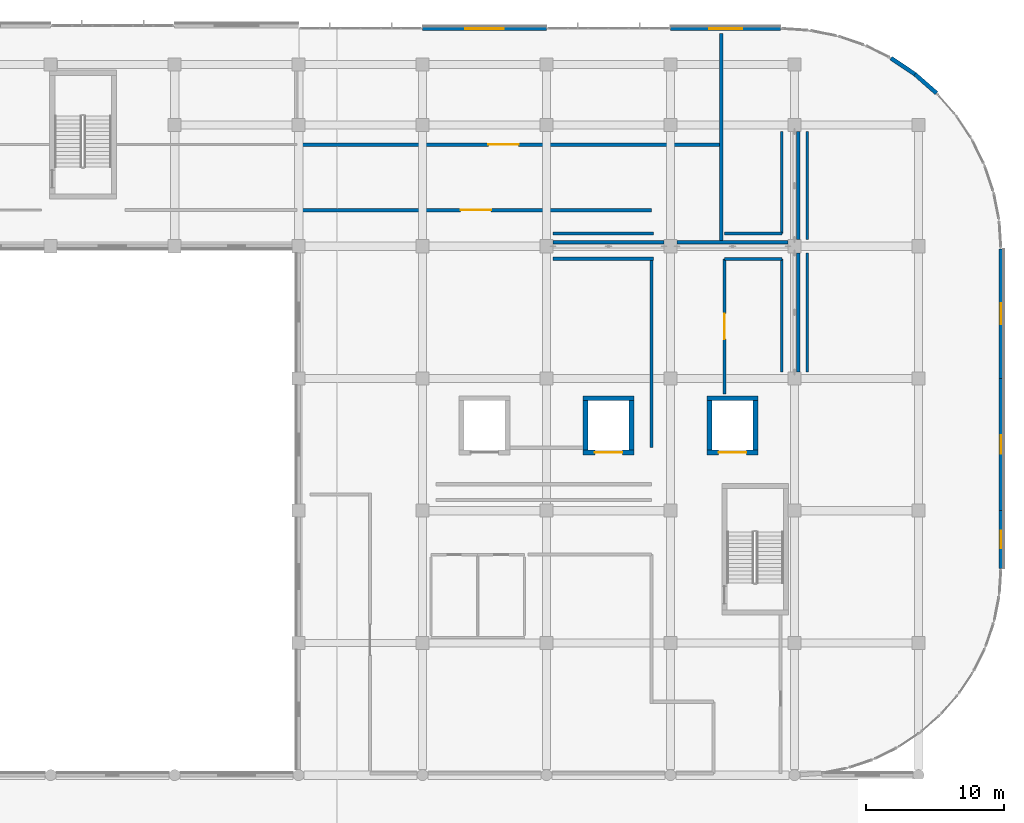
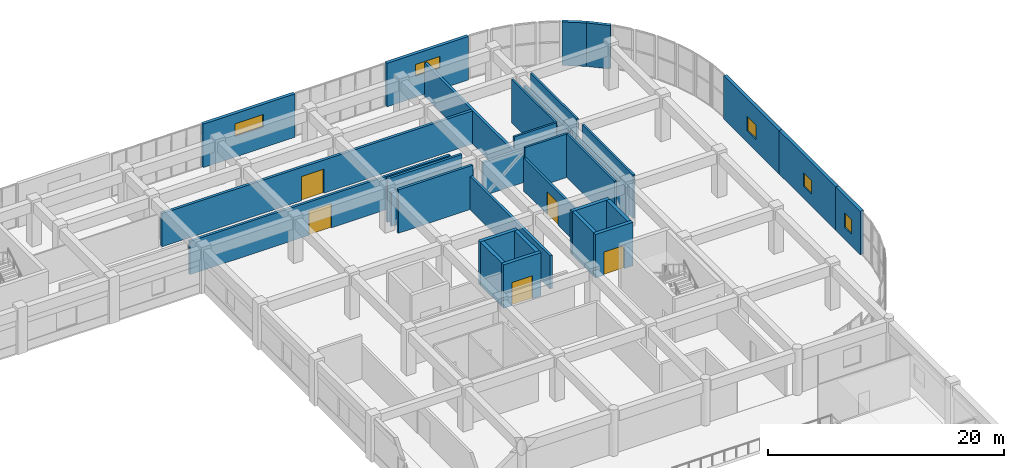
# One storey, part 61 of 86: 32 walls, 5 doors, 5 windows, 10 openings.
"""IFC4 building model written with IfcOpenShell, lengths in metres."""

from ifc_helpers import new_model, si_unit, direction, frame, frame_2d, origin, place, context, subcontext, project, spatial, rectangle, extrude, material, layer, layer_set, type_object, element, fill, save


model = new_model("IFC4")

# Units and contexts
model_context = context("Model", 3, precision=1e-05, world=origin(), true_north=direction((0.0, 1.0)))
body_context = subcontext(model_context, "Body", "Model", "MODEL_VIEW")
ifc_project = project(units=[si_unit("LENGTHUNIT", "METRE"), si_unit("AREAUNIT", "SQUARE_METRE"), si_unit("VOLUMEUNIT", "CUBIC_METRE"), si_unit("PLANEANGLEUNIT", "RADIAN"), si_unit("MASSUNIT", "GRAM", prefix="KILO")], contexts=[model_context])

# Site, building, storey
site_placement = place(None, origin())
site = spatial("IfcSite", under=ifc_project, at=site_placement, CompositionType="ELEMENT")
building_placement = place(site_placement, origin())
building = spatial("IfcBuilding", under=site, at=building_placement, Name="Cendralis Terraced Arcade", CompositionType="ELEMENT")
storey_placement = place(building_placement, frame((0.0, 0.0, 5.39990234375)))
storey = spatial("IfcBuildingStorey", under=building, at=storey_placement, Name="L01", CompositionType="ELEMENT", Elevation=5.39990234375)

# Walls
ifc_material_1 = material(Name="Gypsum plasterboard acoustic partition", Category="concrete")
ifc_layer_1 = layer(ifc_material_1, 0.195068359375, Name="WL-ACOU-195")
ifc_layer_set_1 = layer_set([ifc_layer_1], Name="Gypsum plasterboard acoustic partition")
wall_type_1 = type_object("IfcWallType", Name="WL-ACOU-195", PredefinedType="PARTITIONING", material=ifc_layer_set_1)
wall_1_placement = place(storey_placement, frame((158.1201171875, 89.27490234375, 0.0), z_axis=(0.0, 0.0, 1.0), x_axis=(0.0, 1.0, 0.0)))
element("IfcWall", 1, at=wall_1_placement, inside=storey, type_object=wall_type_1, Name="Interior Partition Wall IW-L01-0430", PredefinedType="PARTITIONING", context=body_context, shape_type="SweptSolid", body=[
    extrude(rectangle(XDim=8.650146484375, YDim=0.195068359375, at=frame_2d((4.3251953125, 0.0))), origin(), (0.0, 0.0, 1.0), 4.505126953125),
])
ifc_layer_2 = layer(ifc_material_1, 0.199951171875, Name="WL-ACOU-200")
ifc_layer_set_2 = layer_set([ifc_layer_2], Name="Gypsum plasterboard acoustic partition")
wall_type_2 = type_object("IfcWallType", Name="WL-ACOU-200", PredefinedType="PARTITIONING", material=ifc_layer_set_2)
wall_2_placement = place(storey_placement, frame((156.280029296875, 99.320068359375, 0.0), z_axis=(0.0, 0.0, 1.0), x_axis=(-1.0, 0.0, 0.0)))
element("IfcWall", 2, at=wall_2_placement, inside=storey, type_object=wall_type_2, Name="Interior Partition Wall IW-L01-0429", PredefinedType="PARTITIONING", context=body_context, shape_type="SweptSolid", body=[
    extrude(rectangle(XDim=4.159912109375, YDim=0.199951171875, at=frame_2d((2.080078125, 0.0))), origin(), (0.0, 0.0, 1.0), 4.505126953125),
])
ifc_layer_3 = layer(ifc_material_1, 0.205078125, Name="WL-ACOU-205")
ifc_layer_set_3 = layer_set([ifc_layer_3], Name="Gypsum plasterboard acoustic partition")
wall_type_3 = type_object("IfcWallType", Name="WL-ACOU-205", PredefinedType="PARTITIONING", material=ifc_layer_set_3)
wall_3_placement = place(storey_placement, frame((152.1201171875, 97.47998046875, 0.0), z_axis=(0.0, 0.0, 1.0), x_axis=(1.0, 0.0, 0.0)))
element("IfcWall", 3, at=wall_3_placement, inside=storey, type_object=wall_type_3, Name="Interior Partition Wall IW-L01-0428", PredefinedType="PARTITIONING", context=body_context, shape_type="SweptSolid", body=[
    extrude(rectangle(XDim=4.159912109375, YDim=0.205078125, at=frame_2d((2.080078125, 0.0))), origin(), (0.0, 0.0, 1.0), 4.505126953125),
])

# Wall, opening, door
ifc_layer_4 = layer(ifc_material_1, 0.2099609375, Name="WL-ACOU-210")
ifc_layer_set_4 = layer_set([ifc_layer_4], Name="Gypsum plasterboard acoustic partition")
wall_type_4 = type_object("IfcWallType", Name="WL-ACOU-210", PredefinedType="PARTITIONING", material=ifc_layer_set_4)
wall_4_placement = place(storey_placement, frame((152.1201171875, 87.679931640625, 0.0), z_axis=(0.0, 0.0, 1.0), x_axis=(0.0, 1.0, 0.0)))
wall_4 = element("IfcWall", 4, at=wall_4_placement, inside=storey, type_object=wall_type_4, Name="Interior Partition Wall IW-L01-0427", PredefinedType="PARTITIONING", context=body_context, shape_type="SweptSolid", body=[
    extrude(rectangle(XDim=9.800048828125, YDim=0.2099609375, at=frame_2d((4.89990234375, 0.0))), origin(), (0.0, 0.0, 1.0), 3.445068359375),
])
opening_1_placement = place(wall_4_placement, frame((3.97509765625, 0.0, 0.0)))
opening_1 = element("IfcOpeningElement", 5, at=opening_1_placement, cuts=wall_4, Name="Opening D-L01-117", PredefinedType="OPENING", context=body_context, shape_type="SweptSolid", body=[
    extrude(rectangle(XDim=1.85009765625, YDim=2.35009765625, at=frame_2d((0.925048828125, 1.175048828125))), frame((0.0, 0.116943359375, 0.0), z_axis=(0.0, -1.0, 0.0), x_axis=(1.0, 0.0, 0.0)), (0.0, 0.0, 1.0), 0.23388671875),
])
ifc_material_2 = material(Name="Solid core Andean oak veneer door leaf", Category="aluminium")
door_type_1 = type_object("IfcDoorType", Name="ID-DEP-1850x2350", OperationType="DOUBLE_DOOR_SINGLE_SWING", PredefinedType="DOOR", material=ifc_material_2)
door_1_placement = place(opening_1_placement, origin())
door_1 = element("IfcDoor", 6, at=door_1_placement, inside=storey, type_object=door_type_1, Name="Buying and Store Management Offices - Logistics Door D-L01-117", OperationType="DOUBLE_DOOR_SINGLE_SWING", OverallHeight=2.35009765625, OverallWidth=1.85009765625, PredefinedType="DOOR", context=body_context, shape_type="SweptSolid", body=[
    extrude(rectangle(XDim=1.85009765625, YDim=2.35009765625, at=frame_2d((0.925048828125, 1.175048828125))), frame((0.0, 0.02490234375, 0.0), z_axis=(0.0, -1.0, 0.0), x_axis=(1.0, 0.0, 0.0)), (0.0, 0.0, 1.0), 0.050048828125),
])
fill(opening_1, door_1)

ifc_material_3 = material(Name="Concrete f'c 42 MPa", Category="concrete")
ifc_layer_5 = layer(ifc_material_3, 0.340087890625, Name="WL-CORE-340")
ifc_layer_set_5 = layer_set([ifc_layer_5], Name="Concrete f'c 42 MPa")
wall_type_5 = type_object("IfcWallType", Name="WL-CORE-340", PredefinedType="SHEAR", material=ifc_layer_set_5)
wall_5_placement = place(storey_placement, frame((141.860107421875, 83.429931640625, 0.0), z_axis=(0.0, 0.0, 1.0), x_axis=(1.0, 0.0, 0.0)))
wall_5 = element("IfcWall", 7, at=wall_5_placement, inside=storey, type_object=wall_type_5, Name="Lift GL-02 Reinforced Concrete Shaft Wall (L01)", PredefinedType="SHEAR", context=body_context, shape_type="SweptSolid", body=[
    extrude(rectangle(XDim=3.679931640625, YDim=0.340087890625, at=frame_2d((1.83984375, 0.0))), origin(), (0.0, 0.0, 1.0), 4.505126953125),
])
opening_2_placement = place(wall_5_placement, frame((0.840087890625, 0.0, 0.0)))
opening_2 = element("IfcOpeningElement", 8, at=opening_2_placement, cuts=wall_5, Name="Opening LD-GL-02-L01", PredefinedType="OPENING", context=body_context, shape_type="SweptSolid", body=[
    extrude(rectangle(XDim=2.0, YDim=2.39990234375, at=frame_2d((1.0, 1.199951171875))), frame((0.0, 0.18212890625, 0.0), z_axis=(0.0, -1.0, 0.0), x_axis=(1.0, 0.0, 0.0)), (0.0, 0.0, 1.0), 0.364013671875),
])
ifc_material_4 = material(Name="Anodised aluminium sliding door assembly", Category="aluminium")
door_type_2 = type_object("IfcDoorType", Name="ID-LD-GD-2000x2400", OperationType="DOUBLE_DOOR_SLIDING", PredefinedType="DOOR", material=ifc_material_4)
door_2_placement = place(opening_2_placement, origin())
door_2 = element("IfcDoor", 9, at=door_2_placement, inside=storey, type_object=door_type_2, Name="Lift GL-02 Sliding Landing Door (L01)", OperationType="DOUBLE_DOOR_SLIDING", OverallHeight=2.39990234375, OverallWidth=2.0, PredefinedType="DOOR", context=body_context, shape_type="SweptSolid", body=[
    extrude(rectangle(XDim=2.0, YDim=2.39990234375, at=frame_2d((1.0, 1.199951171875))), frame((0.0, 0.02490234375, 0.0), z_axis=(0.0, -1.0, 0.0), x_axis=(1.0, 0.0, 0.0)), (0.0, 0.0, 1.0), 0.050048828125),
])
fill(opening_2, door_2)

# Walls
wall_6_placement = place(storey_placement, frame((141.860107421875, 87.3701171875, 0.0), z_axis=(0.0, 0.0, 1.0), x_axis=(1.0, 0.0, 0.0)))
element("IfcWall", 10, at=wall_6_placement, inside=storey, type_object=wall_type_5, Name="Lift GL-02 Reinforced Concrete Shaft Wall (L01)", PredefinedType="SHEAR", context=body_context, shape_type="SweptSolid", body=[
    extrude(rectangle(XDim=3.679931640625, YDim=0.340087890625, at=frame_2d((1.83984375, 0.0))), origin(), (0.0, 0.0, 1.0), 4.505126953125),
])
for number, where, z_axis, x_axis, name in (
    (11, (142.030029296875, 83.60009765625, 0.0), (0.0, 0.0, 1.0), (0.0, 1.0, 0.0), "Lift GL-02 Reinforced Concrete Shaft Wall (L01)"),
    (12, (145.3701171875, 83.60009765625, 0.0), (0.0, 0.0, 1.0), (0.0, 1.0, 0.0), "Lift GL-02 Reinforced Concrete Shaft Wall (L01)"),
):
    element("IfcWall", number, at=place(storey_placement, frame(where, z_axis=z_axis, x_axis=x_axis)), inside=storey, type_object=wall_type_5, Name=name, PredefinedType="SHEAR", context=body_context, shape_type="SweptSolid", body=[
        extrude(rectangle(XDim=3.599853515625, YDim=0.340087890625, at=frame_2d((1.7998046875, 0.0))), origin(), (0.0, 0.0, 1.0), 4.505126953125),
    ])

# Wall, opening, door
wall_7_placement = place(storey_placement, frame((150.860107421875, 83.429931640625, 0.0), z_axis=(0.0, 0.0, 1.0), x_axis=(1.0, 0.0, 0.0)))
wall_7 = element("IfcWall", 13, at=wall_7_placement, inside=storey, type_object=wall_type_5, Name="Lift GL-03 Reinforced Concrete Shaft Wall (L01)", PredefinedType="SHEAR", context=body_context, shape_type="SweptSolid", body=[
    extrude(rectangle(XDim=3.679931640625, YDim=0.340087890625, at=frame_2d((1.83984375, 0.0))), origin(), (0.0, 0.0, 1.0), 4.505126953125),
])
opening_3_placement = place(wall_7_placement, frame((0.840087890625, 0.0, 0.0)))
opening_3 = element("IfcOpeningElement", 14, at=opening_3_placement, cuts=wall_7, Name="Opening LD-GL-03-L01", PredefinedType="OPENING", context=body_context, shape_type="SweptSolid", body=[
    extrude(rectangle(XDim=2.0, YDim=2.39990234375, at=frame_2d((1.0, 1.199951171875))), frame((0.0, 0.18212890625, 0.0), z_axis=(0.0, -1.0, 0.0), x_axis=(1.0, 0.0, 0.0)), (0.0, 0.0, 1.0), 0.364013671875),
])
door_3_placement = place(opening_3_placement, origin())
door_3 = element("IfcDoor", 15, at=door_3_placement, inside=storey, type_object=door_type_2, Name="Lift GL-03 Sliding Landing Door (L01)", OperationType="DOUBLE_DOOR_SLIDING", OverallHeight=2.39990234375, OverallWidth=2.0, PredefinedType="DOOR", context=body_context, shape_type="SweptSolid", body=[
    extrude(rectangle(XDim=2.0, YDim=2.39990234375, at=frame_2d((1.0, 1.199951171875))), frame((0.0, 0.02490234375, 0.0), z_axis=(0.0, -1.0, 0.0), x_axis=(1.0, 0.0, 0.0)), (0.0, 0.0, 1.0), 0.050048828125),
])
fill(opening_3, door_3)

# Walls
wall_8_placement = place(storey_placement, frame((150.860107421875, 87.3701171875, 0.0), z_axis=(0.0, 0.0, 1.0), x_axis=(1.0, 0.0, 0.0)))
element("IfcWall", 16, at=wall_8_placement, inside=storey, type_object=wall_type_5, Name="Lift GL-03 Reinforced Concrete Shaft Wall (L01)", PredefinedType="SHEAR", context=body_context, shape_type="SweptSolid", body=[
    extrude(rectangle(XDim=3.679931640625, YDim=0.340087890625, at=frame_2d((1.83984375, 0.0))), origin(), (0.0, 0.0, 1.0), 4.505126953125),
])
for number, where, z_axis, x_axis, name in (
    (17, (151.030029296875, 83.60009765625, 0.0), (0.0, 0.0, 1.0), (0.0, 1.0, 0.0), "Lift GL-03 Reinforced Concrete Shaft Wall (L01)"),
    (18, (154.3701171875, 83.60009765625, 0.0), (0.0, 0.0, 1.0), (0.0, 1.0, 0.0), "Lift GL-03 Reinforced Concrete Shaft Wall (L01)"),
):
    element("IfcWall", number, at=place(storey_placement, frame(where, z_axis=z_axis, x_axis=x_axis)), inside=storey, type_object=wall_type_5, Name=name, PredefinedType="SHEAR", context=body_context, shape_type="SweptSolid", body=[
        extrude(rectangle(XDim=3.599853515625, YDim=0.340087890625, at=frame_2d((1.7998046875, 0.0))), origin(), (0.0, 0.0, 1.0), 4.505126953125),
    ])

# Wall, opening, window
ifc_material_5 = material(Name="Precast concrete f'c 40 MPa", Category="concrete")
ifc_layer_6 = layer(ifc_material_5, 0.300048828125, Name="WL-EXT-GRC-300")
ifc_layer_set_6 = layer_set([ifc_layer_6], Name="Precast concrete f'c 40 MPa")
wall_type_6 = type_object("IfcWallType", Name="WL-EXT-GRC-300", PredefinedType="SOLIDWALL", material=ifc_layer_set_6)
wall_9_placement = place(storey_placement, frame((130.199951171875, 114.199951171875, 0.0), z_axis=(0.0, 0.0, 1.0), x_axis=(1.0, 0.0, 0.0)))
wall_9 = element("IfcWall", 19, at=wall_9_placement, inside=storey, type_object=wall_type_6, Name="Exterior Architectural Wall EW-L01-0102", PredefinedType="SOLIDWALL", context=body_context, shape_type="SweptSolid", body=[
    extrude(rectangle(XDim=9.0, YDim=0.300048828125, at=frame_2d((4.5, 0.0))), origin(), (0.0, 0.0, 1.0), 4.505126953125),
])
opening_4_placement = place(wall_9_placement, frame((3.10009765625, 0.0, 2.14990234375)))
opening_4 = element("IfcOpeningElement", 20, at=opening_4_placement, cuts=wall_9, Name="Opening W-16", PredefinedType="OPENING", context=body_context, shape_type="SweptSolid", body=[
    extrude(rectangle(XDim=2.800048828125, YDim=1.300048828125, at=frame_2d((1.39990234375, 0.64990234375))), frame((0.0, 0.162109375, 0.0), z_axis=(0.0, -1.0, 0.0), x_axis=(1.0, 0.0, 0.0)), (0.0, 0.0, 1.0), 0.323974609375),
])
ifc_material_6 = material(Name="Tempered solar control laminated glass", Category="glass")
window_type_1 = type_object("IfcWindowType", Name="WN-CL-2800x1300", PartitioningType="SINGLE_PANEL", PredefinedType="WINDOW", material=ifc_material_6)
window_1_placement = place(opening_4_placement, origin())
window_1 = element("IfcWindow", 21, at=window_1_placement, inside=storey, type_object=window_type_1, Name="Exterior Solar-Control Window WN-L01-0059", OverallHeight=1.300048828125, OverallWidth=2.800048828125, PartitioningType="SINGLE_PANEL", PredefinedType="WINDOW", context=body_context, shape_type="SweptSolid", body=[
    extrude(rectangle(XDim=2.800048828125, YDim=1.300048828125, at=frame_2d((1.39990234375, 0.64990234375))), frame((0.0, 0.030029296875, 0.0), z_axis=(0.0, -1.0, 0.0), x_axis=(1.0, 0.0, 0.0)), (0.0, 0.0, 1.0), 0.06005859375),
])
fill(opening_4, window_1)

wall_10_placement = place(storey_placement, frame((148.199951171875, 114.199951171875, 0.0), z_axis=(0.0, 0.0, 1.0), x_axis=(1.0, 0.0, 0.0)))
wall_10 = element("IfcWall", 22, at=wall_10_placement, inside=storey, type_object=wall_type_6, Name="Exterior Architectural Wall EW-L01-0103", PredefinedType="SOLIDWALL", context=body_context, shape_type="SweptSolid", body=[
    extrude(rectangle(XDim=8.0, YDim=0.300048828125, at=frame_2d((4.0, 0.0))), origin(), (0.0, 0.0, 1.0), 4.505126953125),
])
opening_5_placement = place(wall_10_placement, frame((2.800048828125, 0.0, 2.199951171875)))
opening_5 = element("IfcOpeningElement", 23, at=opening_5_placement, cuts=wall_10, Name="Opening W-17", PredefinedType="OPENING", context=body_context, shape_type="SweptSolid", body=[
    extrude(rectangle(XDim=2.39990234375, YDim=1.199951171875, at=frame_2d((1.199951171875, 0.60009765625))), frame((0.0, 0.162109375, 0.0), z_axis=(0.0, -1.0, 0.0), x_axis=(1.0, 0.0, 0.0)), (0.0, 0.0, 1.0), 0.323974609375),
])
window_type_2 = type_object("IfcWindowType", Name="WN-CL-2400x1200", PartitioningType="SINGLE_PANEL", PredefinedType="WINDOW", material=ifc_material_6)
window_2_placement = place(opening_5_placement, origin())
window_2 = element("IfcWindow", 24, at=window_2_placement, inside=storey, type_object=window_type_2, Name="Exterior Solar-Control Window WN-L01-0060", OverallHeight=1.199951171875, OverallWidth=2.39990234375, PartitioningType="SINGLE_PANEL", PredefinedType="WINDOW", context=body_context, shape_type="SweptSolid", body=[
    extrude(rectangle(XDim=2.39990234375, YDim=1.199951171875, at=frame_2d((1.199951171875, 0.60009765625))), frame((0.0, 0.030029296875, 0.0), z_axis=(0.0, -1.0, 0.0), x_axis=(1.0, 0.0, 0.0)), (0.0, 0.0, 1.0), 0.06005859375),
])
fill(opening_5, window_2)

# Walls
wall_11_placement = place(storey_placement, frame((164.199951171875, 112.056396484375, 0.0), z_axis=(0.0, 0.0, 1.0), x_axis=(0.831511498164, -0.555507541282, 0.0)))
element("IfcWall", 25, at=wall_11_placement, inside=storey, type_object=wall_type_6, Name="Exterior Architectural Wall EW-L01-0104", PredefinedType="SOLIDWALL", context=body_context, shape_type="SweptSolid", body=[
    extrude(rectangle(XDim=2.0927734375, YDim=0.300048828125, at=frame_2d((1.04638671875, 0.0))), origin(), (0.0, 0.0, 1.0), 4.505126953125),
])
wall_12_placement = place(storey_placement, frame((165.940185546875, 110.893798828125, 0.0), z_axis=(0.0, 0.0, 1.0), x_axis=(0.751788532516, -0.659404278404, 0.0)))
element("IfcWall", 26, at=wall_12_placement, inside=storey, type_object=wall_type_6, Name="Exterior Architectural Wall EW-L01-0105", PredefinedType="SOLIDWALL", context=body_context, shape_type="SweptSolid", body=[
    extrude(rectangle(XDim=2.093017578125, YDim=0.300048828125, at=frame_2d((1.04638671875, 0.0))), origin(), (0.0, 0.0, 1.0), 4.505126953125),
])

# Wall, opening, window
wall_13_placement = place(storey_placement, frame((172.199951171875, 98.199951171875, 0.0), z_axis=(0.0, 0.0, 1.0), x_axis=(0.0, -1.0, 0.0)))
wall_13 = element("IfcWall", 27, at=wall_13_placement, inside=storey, type_object=wall_type_6, Name="Exterior Architectural Wall EW-L01-0106", PredefinedType="SOLIDWALL", context=body_context, shape_type="SweptSolid", body=[
    extrude(rectangle(XDim=9.39990234375, YDim=0.300048828125, at=frame_2d((4.699951171875, 0.0))), origin(), (0.0, 0.0, 1.0), 4.505126953125),
])
opening_6_placement = place(wall_13_placement, frame((3.949951171875, 0.0, 1.199951171875)))
opening_6 = element("IfcOpeningElement", 28, at=opening_6_placement, cuts=wall_13, Name="Opening W-20", PredefinedType="OPENING", context=body_context, shape_type="SweptSolid", body=[
    extrude(rectangle(XDim=1.5, YDim=1.5, at=frame_2d((0.75, 0.75))), frame((0.0, 0.162109375, 0.0), z_axis=(0.0, -1.0, 0.0), x_axis=(1.0, 0.0, 0.0)), (0.0, 0.0, 1.0), 0.323974609375),
])
window_type_3 = type_object("IfcWindowType", Name="WN-BOH-1500x1500", PartitioningType="SINGLE_PANEL", PredefinedType="WINDOW", material=ifc_material_6)
window_3_placement = place(opening_6_placement, origin())
window_3 = element("IfcWindow", 29, at=window_3_placement, inside=storey, type_object=window_type_3, Name="Exterior Solar-Control Window WN-L01-0061", OverallHeight=1.5, OverallWidth=1.5, PartitioningType="SINGLE_PANEL", PredefinedType="WINDOW", context=body_context, shape_type="SweptSolid", body=[
    extrude(rectangle(XDim=1.5, YDim=1.5, at=frame_2d((0.75, 0.75))), frame((0.0, 0.030029296875, 0.0), z_axis=(0.0, -1.0, 0.0), x_axis=(1.0, 0.0, 0.0)), (0.0, 0.0, 1.0), 0.06005859375),
])
fill(opening_6, window_3)

wall_14_placement = place(storey_placement, frame((172.199951171875, 88.800048828125, 0.0), z_axis=(0.0, 0.0, 1.0), x_axis=(0.0, -1.0, 0.0)))
wall_14 = element("IfcWall", 30, at=wall_14_placement, inside=storey, type_object=wall_type_6, Name="Exterior Architectural Wall EW-L01-0107", PredefinedType="SOLIDWALL", context=body_context, shape_type="SweptSolid", body=[
    extrude(rectangle(XDim=9.60009765625, YDim=0.300048828125, at=frame_2d((4.800048828125, 0.0))), origin(), (0.0, 0.0, 1.0), 4.505126953125),
])
opening_7_placement = place(wall_14_placement, frame((4.125, 0.0, 1.25)))
opening_7 = element("IfcOpeningElement", 31, at=opening_7_placement, cuts=wall_14, Name="Opening W-21", PredefinedType="OPENING", context=body_context, shape_type="SweptSolid", body=[
    extrude(rectangle(XDim=1.35009765625, YDim=1.39990234375, at=frame_2d((0.675048828125, 0.699951171875))), frame((0.0, 0.162109375, 0.0), z_axis=(0.0, -1.0, 0.0), x_axis=(1.0, 0.0, 0.0)), (0.0, 0.0, 1.0), 0.323974609375),
])
window_type_4 = type_object("IfcWindowType", Name="WN-BOH-1350x1400", PartitioningType="SINGLE_PANEL", PredefinedType="WINDOW", material=ifc_material_6)
window_4_placement = place(opening_7_placement, origin())
window_4 = element("IfcWindow", 32, at=window_4_placement, inside=storey, type_object=window_type_4, Name="Exterior Solar-Control Window WN-L01-0062", OverallHeight=1.39990234375, OverallWidth=1.35009765625, PartitioningType="SINGLE_PANEL", PredefinedType="WINDOW", context=body_context, shape_type="SweptSolid", body=[
    extrude(rectangle(XDim=1.35009765625, YDim=1.39990234375, at=frame_2d((0.675048828125, 0.699951171875))), frame((0.0, 0.030029296875, 0.0), z_axis=(0.0, -1.0, 0.0), x_axis=(1.0, 0.0, 0.0)), (0.0, 0.0, 1.0), 0.06005859375),
])
fill(opening_7, window_4)

wall_15_placement = place(storey_placement, frame((172.199951171875, 79.199951171875, 0.0), z_axis=(0.0, 0.0, 1.0), x_axis=(0.0, -1.0, 0.0)))
wall_15 = element("IfcWall", 33, at=wall_15_placement, inside=storey, type_object=wall_type_6, Name="Exterior Architectural Wall EW-L01-0108", PredefinedType="SOLIDWALL", context=body_context, shape_type="SweptSolid", body=[
    extrude(rectangle(XDim=4.199951171875, YDim=0.300048828125, at=frame_2d((2.10009765625, 0.0))), origin(), (0.0, 0.0, 1.0), 4.505126953125),
])
opening_8_placement = place(wall_15_placement, frame((1.47509765625, 0.0, 1.199951171875)))
opening_8 = element("IfcOpeningElement", 34, at=opening_8_placement, cuts=wall_15, Name="Opening W-30", PredefinedType="OPENING", context=body_context, shape_type="SweptSolid", body=[
    extrude(rectangle(XDim=1.25, YDim=1.550048828125, at=frame_2d((0.625, 0.77490234375))), frame((0.0, 0.162109375, 0.0), z_axis=(0.0, -1.0, 0.0), x_axis=(1.0, 0.0, 0.0)), (0.0, 0.0, 1.0), 0.323974609375),
])
window_type_5 = type_object("IfcWindowType", Name="WN-F3-1250x1550", PartitioningType="SINGLE_PANEL", PredefinedType="WINDOW", material=ifc_material_6)
window_5_placement = place(opening_8_placement, origin())
window_5 = element("IfcWindow", 35, at=window_5_placement, inside=storey, type_object=window_type_5, Name="Exterior Solar-Control Window WN-L01-0063", OverallHeight=1.550048828125, OverallWidth=1.25, PartitioningType="SINGLE_PANEL", PredefinedType="WINDOW", context=body_context, shape_type="SweptSolid", body=[
    extrude(rectangle(XDim=1.25, YDim=1.550048828125, at=frame_2d((0.625, 0.77490234375))), frame((0.0, 0.030029296875, 0.0), z_axis=(0.0, -1.0, 0.0), x_axis=(1.0, 0.0, 0.0)), (0.0, 0.0, 1.0), 0.06005859375),
])
fill(opening_8, window_5)

# Wall, opening, door
ifc_material_7 = material(Name="Autoclaved aerated concrete blockwork", Category="masonry")
ifc_layer_7 = layer(ifc_material_7, 0.241943359375, Name="WL-FIRE-242")
ifc_layer_set_7 = layer_set([ifc_layer_7], Name="Autoclaved aerated concrete blockwork")
wall_type_7 = type_object("IfcWallType", Name="WL-FIRE-242", PredefinedType="PARTITIONING", material=ifc_layer_set_7)
wall_16_placement = place(storey_placement, frame((121.320068359375, 101.02001953125, 0.0), z_axis=(0.0, 0.0, 1.0), x_axis=(1.0, 0.0, 0.0)))
wall_16 = element("IfcWall", 36, at=wall_16_placement, inside=storey, type_object=wall_type_7, Name="Interior Partition Wall IW-L01-0409", PredefinedType="PARTITIONING", context=body_context, shape_type="SweptSolid", body=[
    extrude(rectangle(XDim=25.5, YDim=0.241943359375, at=frame_2d((12.75, 0.0))), origin(), (0.0, 0.0, 1.0), 3.445068359375),
])
opening_9_placement = place(wall_16_placement, frame((11.64990234375, 0.0, 0.0)))
opening_9 = element("IfcOpeningElement", 37, at=opening_9_placement, cuts=wall_16, Name="Opening D-L01-114", PredefinedType="OPENING", context=body_context, shape_type="SweptSolid", body=[
    extrude(rectangle(XDim=2.199951171875, YDim=2.5, at=frame_2d((1.10009765625, 1.25))), frame((0.0, 0.1328125, 0.0), z_axis=(0.0, -1.0, 0.0), x_axis=(1.0, 0.0, 0.0)), (0.0, 0.0, 1.0), 0.265869140625),
])
ifc_material_8 = material(Name="Galvanised fire-rated steel door assembly", Category="steel")
door_type_3 = type_object("IfcDoorType", Name="ID-STK-2200x2500", OperationType="DOUBLE_DOOR_SINGLE_SWING", PredefinedType="DOOR", material=ifc_material_8)
door_4_placement = place(opening_9_placement, origin())
door_4 = element("IfcDoor", 38, at=door_4_placement, inside=storey, type_object=door_type_3, Name="Central Stockrooms and Automated Picking - L01 Door D-L01-114", OperationType="DOUBLE_DOOR_SINGLE_SWING", OverallHeight=2.5, OverallWidth=2.199951171875, PredefinedType="DOOR", context=body_context, shape_type="SweptSolid", body=[
    extrude(rectangle(XDim=2.199951171875, YDim=2.5, at=frame_2d((1.10009765625, 1.25))), frame((0.0, 0.02490234375, 0.0), z_axis=(0.0, -1.0, 0.0), x_axis=(1.0, 0.0, 0.0)), (0.0, 0.0, 1.0), 0.050048828125),
])
fill(opening_9, door_4)

# Walls
wall_17_placement = place(storey_placement, frame((146.820068359375, 97.35888671875, 0.0), z_axis=(0.0, 0.0, 1.0), x_axis=(0.0, -1.0, 0.0)))
element("IfcWall", 39, at=wall_17_placement, inside=storey, type_object=wall_type_7, Name="Interior Partition Wall IW-L01-0413", PredefinedType="PARTITIONING", context=body_context, shape_type="SweptSolid", body=[
    extrude(rectangle(XDim=13.578857421875, YDim=0.241943359375, at=frame_2d((6.78955078125, 0.0))), origin(), (0.0, 0.0, 1.0), 3.445068359375),
])
for number, where, z_axis, x_axis, name in (
    (40, (139.675048828125, 97.47998046875, 0.0), (0.0, 0.0, 1.0), (1.0, 0.0, 0.0), "Interior Partition Wall IW-L01-0416"),
    (41, (146.98095703125, 99.320068359375, 0.0), (0.0, 0.0, 1.0), (-1.0, 0.0, 0.0), "Interior Partition Wall IW-L01-0417"),
):
    element("IfcWall", number, at=place(storey_placement, frame(where, z_axis=z_axis, x_axis=x_axis)), inside=storey, type_object=wall_type_7, Name=name, PredefinedType="PARTITIONING", context=body_context, shape_type="SweptSolid", body=[
        extrude(rectangle(XDim=7.305908203125, YDim=0.241943359375, at=frame_2d((3.65283203125, 0.0))), origin(), (0.0, 0.0, 1.0), 4.505126953125),
    ])
ifc_layer_8 = layer(ifc_material_7, 0.260009765625, Name="WL-FIRE-260")
ifc_layer_set_8 = layer_set([ifc_layer_8], Name="Autoclaved aerated concrete blockwork")
wall_type_8 = type_object("IfcWallType", Name="WL-FIRE-260", PredefinedType="PARTITIONING", material=ifc_layer_set_8)
for number, where, z_axis, x_axis, name in (
    (42, (139.679931640625, 98.679931640625, 0.0), (0.0, 0.0, 1.0), (1.0, 0.0, 0.0), "Braced Bay Fire Enclosure Wall IW-BRC-L01-01"),
    (43, (148.679931640625, 98.679931640625, 0.0), (0.0, 0.0, 1.0), (1.0, 0.0, 0.0), "Braced Bay Fire Enclosure Wall IW-BRC-L01-02"),
):
    element("IfcWall", number, at=place(storey_placement, frame(where, z_axis=z_axis, x_axis=x_axis)), inside=storey, type_object=wall_type_8, Name=name, PredefinedType="PARTITIONING", context=body_context, shape_type="SweptSolid", body=[
        extrude(rectangle(XDim=8.0400390625, YDim=0.260009765625, at=frame_2d((4.02001953125, 0.0))), origin(), (0.0, 0.0, 1.0), 3.445068359375),
    ])
wall_18_placement = place(storey_placement, frame((157.47998046875, 89.280029296875, 0.0), z_axis=(0.0, 0.0, 1.0), x_axis=(0.0, 1.0, 0.0)))
element("IfcWall", 44, at=wall_18_placement, inside=storey, type_object=wall_type_8, Name="Braced Bay Fire Enclosure Wall IW-BRC-L01-03", PredefinedType="PARTITIONING", context=body_context, shape_type="SweptSolid", body=[
    extrude(rectangle(XDim=8.639892578125, YDim=0.260009765625, at=frame_2d((4.31982421875, 0.0))), origin(), (0.0, 0.0, 1.0), 3.445068359375),
])
wall_19_placement = place(storey_placement, frame((157.47998046875, 98.8798828125, 0.0), z_axis=(0.0, 0.0, 1.0), x_axis=(0.0, 1.0, 0.0)))
element("IfcWall", 45, at=wall_19_placement, inside=storey, type_object=wall_type_8, Name="Braced Bay Fire Enclosure Wall IW-BRC-L01-04", PredefinedType="PARTITIONING", context=body_context, shape_type="SweptSolid", body=[
    extrude(rectangle(XDim=7.840087890625, YDim=0.260009765625, at=frame_2d((3.919921875, 0.0))), origin(), (0.0, 0.0, 1.0), 3.445068359375),
])

# Wall, opening, door
wall_20_placement = place(storey_placement, frame((151.75, 105.780029296875, 0.0), z_axis=(0.0, 0.0, 1.0), x_axis=(-1.0, 0.0, 0.0)))
wall_20 = element("IfcWall", 46, at=wall_20_placement, inside=storey, type_object=wall_type_8, Name="Interior Partition Wall IW-L01-0407", PredefinedType="PARTITIONING", context=body_context, shape_type="SweptSolid", body=[
    extrude(rectangle(XDim=30.429931640625, YDim=0.260009765625, at=frame_2d((15.21484375, 0.0))), origin(), (0.0, 0.0, 1.0), 3.445068359375),
])
opening_10_placement = place(wall_20_placement, frame((14.580078125, 0.0, 0.0)))
opening_10 = element("IfcOpeningElement", 47, at=opening_10_placement, cuts=wall_20, Name="Opening D-L01-113", PredefinedType="OPENING", context=body_context, shape_type="SweptSolid", body=[
    extrude(rectangle(XDim=2.199951171875, YDim=2.5, at=frame_2d((1.10009765625, 1.25))), frame((0.0, 0.14208984375, 0.0), z_axis=(0.0, -1.0, 0.0), x_axis=(1.0, 0.0, 0.0)), (0.0, 0.0, 1.0), 0.283935546875),
])
door_5_placement = place(opening_10_placement, origin())
door_5 = element("IfcDoor", 48, at=door_5_placement, inside=storey, type_object=door_type_3, Name="Central Stockrooms and Automated Picking - L01 Door D-L01-113", OperationType="DOUBLE_DOOR_SINGLE_SWING", OverallHeight=2.5, OverallWidth=2.199951171875, PredefinedType="DOOR", context=body_context, shape_type="SweptSolid", body=[
    extrude(rectangle(XDim=2.199951171875, YDim=2.5, at=frame_2d((1.10009765625, 1.25))), frame((0.0, 0.02490234375, 0.0), z_axis=(0.0, -1.0, 0.0), x_axis=(1.0, 0.0, 0.0)), (0.0, 0.0, 1.0), 0.050048828125),
])
fill(opening_10, door_5)

# Walls
wall_21_placement = place(storey_placement, frame((151.8798828125, 113.860107421875, 0.0), z_axis=(0.0, 0.0, 1.0), x_axis=(0.0, -1.0, 0.0)))
element("IfcWall", 49, at=wall_21_placement, inside=storey, type_object=wall_type_8, Name="Interior Partition Wall IW-L01-0408", PredefinedType="PARTITIONING", context=body_context, shape_type="SweptSolid", body=[
    extrude(rectangle(XDim=15.050048828125, YDim=0.260009765625, at=frame_2d((7.52490234375, 0.0))), origin(), (0.0, 0.0, 1.0), 3.445068359375),
])
ifc_layer_9 = layer(ifc_material_1, 0.179931640625, Name="WL-PART-180")
ifc_layer_set_9 = layer_set([ifc_layer_9], Name="Gypsum plasterboard acoustic partition")
wall_type_9 = type_object("IfcWallType", Name="WL-PART-180", PredefinedType="PARTITIONING", material=ifc_layer_set_9)
wall_22_placement = place(storey_placement, frame((156.280029296875, 106.72509765625, 0.0), z_axis=(0.0, 0.0, 1.0), x_axis=(0.0, -1.0, 0.0)))
element("IfcWall", 50, at=wall_22_placement, inside=storey, type_object=wall_type_9, Name="Interior Partition Wall IW-L01-0433", PredefinedType="PARTITIONING", context=body_context, shape_type="SweptSolid", body=[
    extrude(rectangle(XDim=7.405029296875, YDim=0.179931640625, at=frame_2d((3.70263671875, 0.0))), origin(), (0.0, 0.0, 1.0), 4.505126953125),
])
ifc_layer_10 = layer(ifc_material_1, 0.18505859375, Name="WL-PART-185")
ifc_layer_set_10 = layer_set([ifc_layer_10], Name="Gypsum plasterboard acoustic partition")
wall_type_10 = type_object("IfcWallType", Name="WL-PART-185", PredefinedType="PARTITIONING", material=ifc_layer_set_10)
wall_23_placement = place(storey_placement, frame((158.1201171875, 98.875, 0.0), z_axis=(0.0, 0.0, 1.0), x_axis=(0.0, 1.0, 0.0)))
element("IfcWall", 51, at=wall_23_placement, inside=storey, type_object=wall_type_10, Name="Interior Partition Wall IW-L01-0432", PredefinedType="PARTITIONING", context=body_context, shape_type="SweptSolid", body=[
    extrude(rectangle(XDim=7.85009765625, YDim=0.18505859375, at=frame_2d((3.925048828125, 0.0))), origin(), (0.0, 0.0, 1.0), 4.505126953125),
])
ifc_layer_11 = layer(ifc_material_1, 0.18994140625, Name="WL-PART-190")
ifc_layer_set_11 = layer_set([ifc_layer_11], Name="Gypsum plasterboard acoustic partition")
wall_type_11 = type_object("IfcWallType", Name="WL-PART-190", PredefinedType="PARTITIONING", material=ifc_layer_set_11)
wall_24_placement = place(storey_placement, frame((156.280029296875, 97.47998046875, 0.0), z_axis=(0.0, 0.0, 1.0), x_axis=(0.0, -1.0, 0.0)))
element("IfcWall", 52, at=wall_24_placement, inside=storey, type_object=wall_type_11, Name="Interior Partition Wall IW-L01-0431", PredefinedType="PARTITIONING", context=body_context, shape_type="SweptSolid", body=[
    extrude(rectangle(XDim=8.205078125, YDim=0.18994140625, at=frame_2d((4.1025390625, 0.0))), origin(), (0.0, 0.0, 1.0), 4.505126953125),
])

save(model, "model.ifc")
